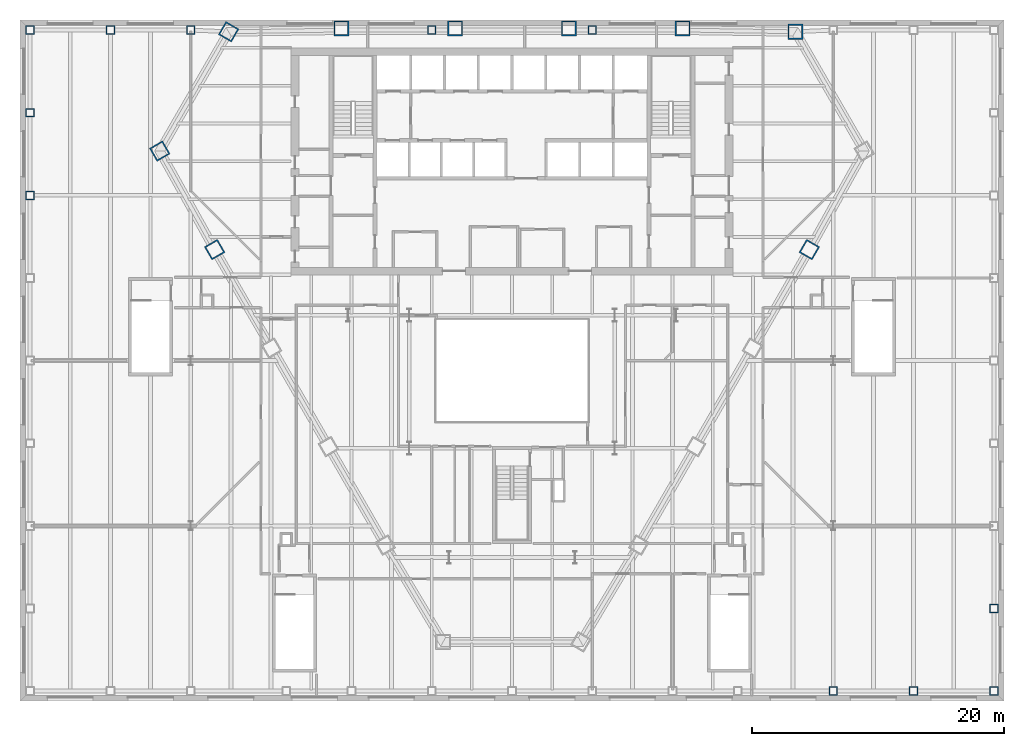
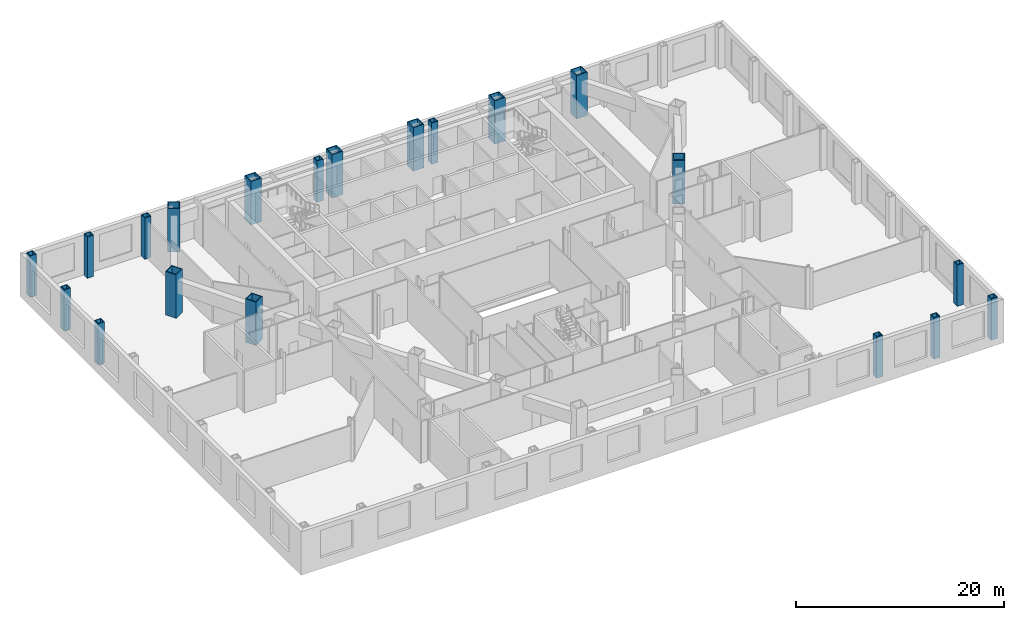
# One storey, part 2 of 17: 20 columns.
"""IFC4 building model written with IfcOpenShell, lengths in metres."""

from ifc_helpers import new_model, si_unit, direction, frame, origin, origin_2d, place, context, subcontext, project, spatial, hollow_rectangle, extrude, material, material_profile, profile_set, type_object, element, save


model = new_model("IFC4")

# Units and contexts
model_context = context("Model", 3, precision=1e-05, world=origin(), true_north=direction((0.0, 1.0)))
body_context = subcontext(model_context, "Body", "Model", "MODEL_VIEW")
ifc_project = project(units=[si_unit("LENGTHUNIT", "METRE"), si_unit("AREAUNIT", "SQUARE_METRE"), si_unit("VOLUMEUNIT", "CUBIC_METRE"), si_unit("PLANEANGLEUNIT", "RADIAN"), si_unit("MASSUNIT", "GRAM", prefix="KILO")], contexts=[model_context])

# Site, building, storey
site_placement = place(None, origin())
site = spatial("IfcSite", under=ifc_project, at=site_placement, CompositionType="ELEMENT")
building_placement = place(site_placement, origin())
building = spatial("IfcBuilding", under=site, at=building_placement, Name="Njiva Tower", CompositionType="ELEMENT")
storey_placement = place(building_placement, frame((0.0, 0.0, 23.7)))
storey = spatial("IfcBuildingStorey", under=building, at=storey_placement, Name="L04", CompositionType="ELEMENT", Elevation=23.7)

# Columns
ifc_material = material(Name="Steel S355 J2", Category="steel")
ifc_material_profile_1 = material_profile(ifc_material, hollow_rectangle(XDim=1.2, YDim=1.2, WallThickness=0.1, at=origin_2d()), Name="BOX 1200x1200x100")
ifc_profile_set_1 = profile_set([ifc_material_profile_1], Name="Steel S355 J2")
column_type_1 = type_object("IfcColumnType", Name="C1 Mega-column BOX 1200x1200x100", PredefinedType="COLUMN", material=ifc_profile_set_1)
for number, where, z_axis, x_axis, name in (
    (1, (22.461, 19.267, 0.0), (0.0, 0.0, 1.0), (-1.0, 0.0, 0.0), "Mega-column L04-C01"),
    (2, (13.523, 19.54, 0.0), (0.0, 0.0, 1.0), (-1.0, 0.0, 0.0), "Mega-column L04-C02"),
    (3, (4.508, 19.54, 0.0), (0.0, 0.0, 1.0), (-1.0, 0.0, 0.0), "Mega-column L04-C03"),
    (4, (-4.508, 19.54, 0.0), (0.0, 0.0, 1.0), (-1.0, 0.0, 0.0), "Mega-column L04-C04"),
    (5, (-13.523, 19.54, 0.0), (0.0, 0.0, 1.0), (-1.0, 0.0, 0.0), "Mega-column L04-C05"),
    (6, (-22.461, 19.267, 0.0), (0.0, 0.0, 1.0), (-0.5, -0.866025403784, 0.0), "Mega-column L04-C06"),
    (7, (-27.923, 9.808, 0.0), (0.0, 0.0, 1.0), (0.5, -0.866025403784, 0.0), "Mega-column L04-C07"),
    (8, (-23.569, 2.0, 0.0), (0.0, 0.0, 1.0), (0.5, -0.866025403784, 0.0), "Mega-column L04-C08"),
    (9, (23.569, 2.0, 0.0), (0.0, 0.0, 1.0), (0.5, 0.866025403784, 0.0), "Mega-column L04-C17"),
):
    element("IfcColumn", number, at=place(storey_placement, frame(where, z_axis=z_axis, x_axis=x_axis)), inside=storey, type_object=column_type_1, Name=name, PredefinedType="COLUMN", context=body_context, shape_type="SweptSolid", body=[
        extrude(hollow_rectangle(XDim=1.2, YDim=1.2, WallThickness=0.1, at=origin_2d()), origin(), (0.0, 0.0, 1.0), 5.1),
    ])
ifc_material_profile_2 = material_profile(ifc_material, hollow_rectangle(XDim=0.7, YDim=0.7, WallThickness=0.08, at=origin_2d()), Name="BOX 700x700x80")
ifc_profile_set_2 = profile_set([ifc_material_profile_2], Name="Steel S355 J2")
column_type_2 = type_object("IfcColumnType", Name="C3 Podium perimeter column BOX 700x700x80", PredefinedType="COLUMN", material=ifc_profile_set_2)
for number, where, z_axis, x_axis, name in (
    (10, (38.2, -33.0, 0.0), (0.0, 0.0, 1.0), (0.0, 1.0, 0.0), "Podium perimeter column L04-C27"),
    (11, (38.2, -26.45, 0.0), (0.0, 0.0, 1.0), (0.0, 1.0, 0.0), "Podium perimeter column L04-C28"),
    (12, (6.367, 19.4, 0.0), (0.0, 0.0, 1.0), (-1.0, 0.0, 0.0), "Podium perimeter column L04-C38"),
    (13, (-6.367, 19.4, 0.0), (0.0, 0.0, 1.0), (-1.0, 0.0, 0.0), "Podium perimeter column L04-C39"),
    (14, (-25.467, 19.4, 0.0), (0.0, 0.0, 1.0), (-1.0, 0.0, 0.0), "Podium perimeter column L04-C40"),
    (15, (-31.833, 19.4, 0.0), (0.0, 0.0, 1.0), (-1.0, 0.0, 0.0), "Podium perimeter column L04-C41"),
    (16, (-38.2, 19.4, 0.0), (0.0, 0.0, 1.0), (0.0, -1.0, 0.0), "Podium perimeter column L04-C42"),
    (17, (-38.2, 12.85, 0.0), (0.0, 0.0, 1.0), (0.0, -1.0, 0.0), "Podium perimeter column L04-C43"),
    (18, (-38.2, 6.3, 0.0), (0.0, 0.0, 1.0), (0.0, -1.0, 0.0), "Podium perimeter column L04-C44"),
    (19, (25.467, -33.0, 0.0), (0.0, 0.0, 1.0), (1.0, 0.0, 0.0), "Podium perimeter column L04-C60"),
    (20, (31.833, -33.0, 0.0), (0.0, 0.0, 1.0), (1.0, 0.0, 0.0), "Podium perimeter column L04-C61"),
):
    element("IfcColumn", number, at=place(storey_placement, frame(where, z_axis=z_axis, x_axis=x_axis)), inside=storey, type_object=column_type_2, Name=name, PredefinedType="COLUMN", context=body_context, shape_type="SweptSolid", body=[
        extrude(hollow_rectangle(XDim=0.7, YDim=0.7, WallThickness=0.08, at=origin_2d()), origin(), (0.0, 0.0, 1.0), 4.85),
    ])

save(model, "model.ifc")
